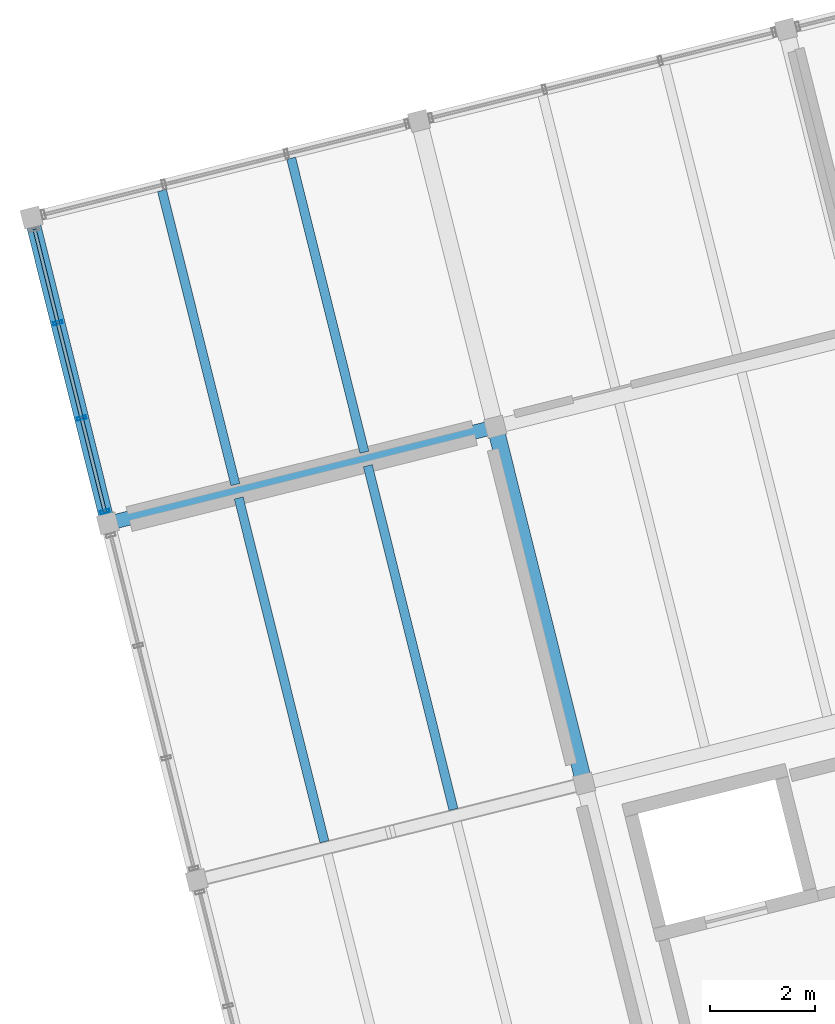
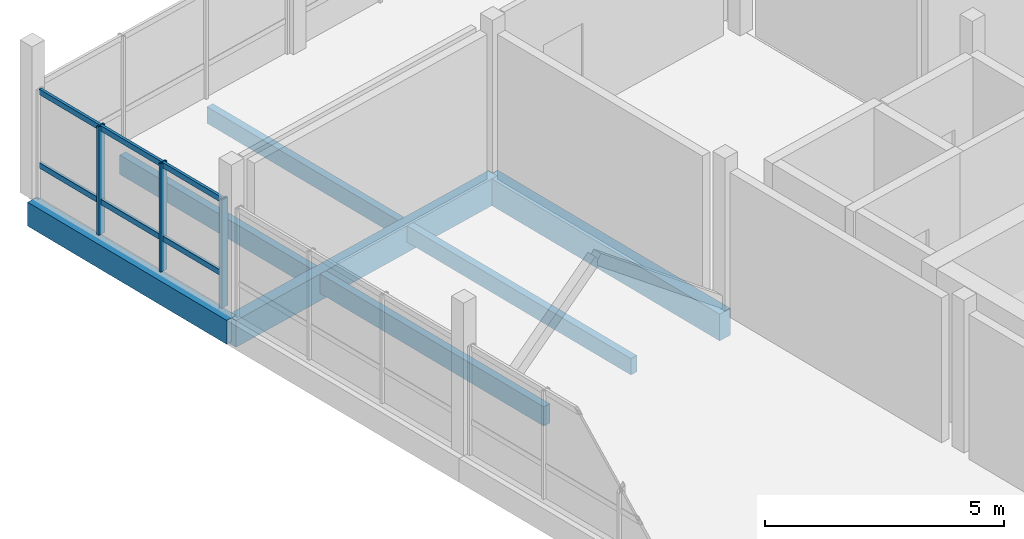
# One storey, part 9 of 26: 9 members, 7 beams, 1 element without a shape of its own.
"""IFC4 building model written with IfcOpenShell, lengths in metres."""

from ifc_helpers import new_model, si_unit, direction, frame, origin, origin_2d, place, context, subcontext, project, spatial, rectangle, hollow_rectangle, extrude, material, layer, layer_set, material_profile, profile_set, type_object, element, aggregate, save


model = new_model("IFC4")

# Units and contexts
model_context = context("Model", 3, precision=1e-05, world=origin(), true_north=direction((0.0, 1.0)))
body_context = subcontext(model_context, "Body", "Model", "MODEL_VIEW")
ifc_project = project(units=[si_unit("LENGTHUNIT", "METRE"), si_unit("AREAUNIT", "SQUARE_METRE"), si_unit("VOLUMEUNIT", "CUBIC_METRE"), si_unit("PLANEANGLEUNIT", "RADIAN"), si_unit("MASSUNIT", "GRAM", prefix="KILO")], contexts=[model_context])

# Site, building, storey
site_placement = place(None, origin())
site = spatial("IfcSite", under=ifc_project, at=site_placement, CompositionType="ELEMENT")
building_placement = place(site_placement, origin())
building = spatial("IfcBuilding", under=site, at=building_placement, Name="Meriwether Solvik Hall", CompositionType="ELEMENT")
storey_placement = place(building_placement, frame((0.0, 0.0, 41.699951171875)))
storey = spatial("IfcBuildingStorey", under=building, at=storey_placement, Name="L10", CompositionType="ELEMENT", Elevation=41.699951171875)

# Beams
ifc_material_1 = material(Name="Glulam Douglas-Fir 24F-V8 GL28h", Category="wood")
ifc_material_profile_1 = material_profile(ifc_material_1, rectangle(XDim=0.27294921875, YDim=0.610107421875, at=origin_2d()), Name="GLB-273X610")
ifc_profile_set_1 = profile_set([ifc_material_profile_1], Name="Glulam Douglas-Fir 24F-V8 GL28h")
beam_type_1 = type_object("IfcBeamType", Name="BM-GL-273X610", PredefinedType="SPANDREL", material=ifc_profile_set_1)
beam_1_placement = place(storey_placement, frame((61.826171875, 68.3681640625, -0.48486328125), z_axis=(-0.241903677572, 0.970300268359, 0.0), x_axis=(-0.970300268359, -0.241903677572, 0.0)))
element("IfcBeam", 1, at=beam_1_placement, inside=storey, type_object=beam_type_1, Name="Tower Girder T1:TE-TF (L10)", PredefinedType="SPANDREL", context=body_context, shape_type="SweptSolid", body=[
    extrude(rectangle(XDim=0.27294921875, YDim=0.610107421875, at=origin_2d()), origin(), (0.0, 0.0, 1.0), 6.0),
])
ifc_material_2 = material(Name="Glulam Douglas-Fir 24F-V8 GL28h", Category="wood")
ifc_material_profile_2 = material_profile(ifc_material_2, rectangle(XDim=0.27294921875, YDim=0.68505859375, at=origin_2d()), Name="GLB-273X685")
ifc_profile_set_2 = profile_set([ifc_material_profile_2], Name="Glulam Douglas-Fir 24F-V8 GL28h")
beam_type_2 = type_object("IfcBeamType", Name="BM-GL-273X685", PredefinedType="BEAM", material=ifc_profile_set_2)
beam_2_placement = place(storey_placement, frame((61.826171875, 68.3681640625, -0.5224609375), z_axis=(0.970295366785, 0.241923337436, 0.0), x_axis=(-0.241923337436, 0.970295366785, 0.0)))
element("IfcBeam", 2, at=beam_2_placement, inside=storey, type_object=beam_type_2, Name="Tower Girder TE:T1-T2 (L10)", PredefinedType="BEAM", context=body_context, shape_type="SweptSolid", body=[
    extrude(rectangle(XDim=0.27294921875, YDim=0.68505859375, at=origin_2d()), origin(), (0.0, 0.0, 1.0), 7.60009765625),
])
ifc_material_3 = material(Name="Glulam Douglas-Fir 24F-V8 GL28h", Category="wood")
ifc_material_profile_3 = material_profile(ifc_material_3, rectangle(XDim=0.31494140625, YDim=0.68505859375, at=origin_2d()), Name="GLB-315X685")
ifc_profile_set_3 = profile_set([ifc_material_profile_3], Name="Glulam Douglas-Fir 24F-V8 GL28h")
beam_type_3 = type_object("IfcBeamType", Name="BM-GL-315X685", PredefinedType="BEAM", material=ifc_profile_set_3)
beam_3_placement = place(storey_placement, frame((70.893798828125, 63.414794921875, -0.5224609375), z_axis=(-0.241911879182, 0.970298223594, 0.0), x_axis=(-0.970298223594, -0.241911879182, 0.0)))
element("IfcBeam", 3, at=beam_3_placement, inside=storey, type_object=beam_type_3, Name="Tower Girder T2:TD-TE (L10)", PredefinedType="BEAM", context=body_context, shape_type="SweptSolid", body=[
    extrude(rectangle(XDim=0.31494140625, YDim=0.68505859375, at=origin_2d()), origin(), (0.0, 0.0, 1.0), 7.0),
])

# Curtain wall, members
ifc_material_4 = material(Name="Thermally Broken Anodised Aluminium 6063-T6 and Low-E Glass", Category="aluminium")
ifc_layer = layer(ifc_material_4, 0.179931640625)
ifc_layer_set = layer_set([ifc_layer], Name="Thermally Broken Anodised Aluminium 6063-T6 and Low-E Glass")
curtain_wall_type = type_object("IfcCurtainWallType", Name="CW-UNIT-E", PredefinedType="USERDEFINED", material=ifc_layer_set)
curtain_wall_placement = place(storey_placement, origin())
curtain_wall = element("IfcCurtainWall", 4, at=curtain_wall_placement, inside=storey, type_object=curtain_wall_type, Name="Curtain Wall E7_B4 (L10)", ObjectType="UNITISED CURTAIN WALL", PredefinedType="USERDEFINED")
ifc_material_5 = material(Name="Anodised Aluminium 6063-T6", Category="aluminium")
ifc_material_profile_4 = material_profile(ifc_material_5, hollow_rectangle(XDim=0.06494140625, YDim=0.179931640625, WallThickness=0.00439453125, at=origin_2d()), Name="CWM-65X180")
ifc_profile_set_4 = profile_set([ifc_material_profile_4], Name="Anodised Aluminium 6063-T6")
member_type_1 = type_object("IfcMemberType", Name="CW-MUL-65X180", PredefinedType="MULLION", material=ifc_profile_set_4)
member_1_placement = place(storey_placement, frame((61.77001953125, 68.59375, 0.0), z_axis=(0.0, 0.0, 1.0), x_axis=(-0.241921949893, 0.970295712739, 0.0)))
member_1 = element("IfcMember", 5, at=member_1_placement, type_object=member_type_1, Name="Curtain Wall Mullion 1", PredefinedType="MULLION", context=body_context, shape_type="SweptSolid", body=[
    extrude(hollow_rectangle(XDim=0.06494140625, YDim=0.179931640625, WallThickness=0.00439453125, at=origin_2d()), origin(), (0.0, 0.0, 1.0), 2.77001953125),
])
member_2_placement = place(storey_placement, frame((61.32666015625, 70.371826171875, 0.0), z_axis=(0.0, 0.0, 1.0), x_axis=(-0.241921949893, 0.970295712739, 0.0)))
member_2 = element("IfcMember", 6, at=member_2_placement, type_object=member_type_1, Name="Curtain Wall Mullion 2", PredefinedType="MULLION", context=body_context, shape_type="SweptSolid", body=[
    extrude(hollow_rectangle(XDim=0.06494140625, YDim=0.179931640625, WallThickness=0.00439453125, at=origin_2d()), origin(), (0.0, 0.0, 1.0), 2.77001953125),
])
member_3_placement = place(storey_placement, frame((60.874267578125, 72.1865234375, 0.0), z_axis=(0.0, 0.0, 1.0), x_axis=(-0.241921949893, 0.970295712739, 0.0)))
member_3 = element("IfcMember", 7, at=member_3_placement, type_object=member_type_1, Name="Curtain Wall Mullion 3", PredefinedType="MULLION", context=body_context, shape_type="SweptSolid", body=[
    extrude(hollow_rectangle(XDim=0.06494140625, YDim=0.179931640625, WallThickness=0.00439453125, at=origin_2d()), origin(), (0.0, 0.0, 1.0), 2.77001953125),
])
ifc_material_6 = material(Name="Anodised Aluminium 6063-T6", Category="aluminium")
ifc_material_profile_5 = material_profile(ifc_material_6, hollow_rectangle(XDim=0.06494140625, YDim=0.139892578125, WallThickness=0.00439453125, at=origin_2d()), Name="CWT-65X140")
ifc_profile_set_5 = profile_set([ifc_material_profile_5], Name="Anodised Aluminium 6063-T6")
member_type_2 = type_object("IfcMemberType", Name="CW-TRN-65X140", PredefinedType="USERDEFINED", material=ifc_profile_set_5)
member_4_placement = place(storey_placement, frame((61.77001953125, 68.59375, 0.8310546875), z_axis=(-0.241939976898, 0.970291217923, 0.0), x_axis=(-0.970291217923, -0.241939976898, 0.0)))
member_4 = element("IfcMember", 8, at=member_4_placement, type_object=member_type_2, Name="Curtain Wall Transom 1-sill", ObjectType="TRANSOM", PredefinedType="USERDEFINED", context=body_context, shape_type="SweptSolid", body=[
    extrude(hollow_rectangle(XDim=0.06494140625, YDim=0.139892578125, WallThickness=0.00439453125, at=origin_2d()), origin(), (0.0, 0.0, 1.0), 1.83251953125),
])
member_5_placement = place(storey_placement, frame((61.77001953125, 68.59375, 2.7099609375), z_axis=(-0.241939976898, 0.970291217923, 0.0), x_axis=(-0.970291217923, -0.241939976898, 0.0)))
member_5 = element("IfcMember", 9, at=member_5_placement, type_object=member_type_2, Name="Curtain Wall Transom 1-head", ObjectType="TRANSOM", PredefinedType="USERDEFINED", context=body_context, shape_type="SweptSolid", body=[
    extrude(hollow_rectangle(XDim=0.06494140625, YDim=0.139892578125, WallThickness=0.00439453125, at=origin_2d()), origin(), (0.0, 0.0, 1.0), 1.83251953125),
])
member_6_placement = place(storey_placement, frame((61.32666015625, 70.371826171875, 0.8310546875), z_axis=(-0.241890550438, 0.970303540965, 0.0), x_axis=(-0.970303540965, -0.241890550438, 0.0)))
member_6 = element("IfcMember", 10, at=member_6_placement, type_object=member_type_2, Name="Curtain Wall Transom 2-sill", ObjectType="TRANSOM", PredefinedType="USERDEFINED", context=body_context, shape_type="SweptSolid", body=[
    extrude(hollow_rectangle(XDim=0.06494140625, YDim=0.139892578125, WallThickness=0.00439453125, at=origin_2d()), origin(), (0.0, 0.0, 1.0), 1.8701171875),
])
member_7_placement = place(storey_placement, frame((61.32666015625, 70.371826171875, 2.7099609375), z_axis=(-0.241890550438, 0.970303540965, 0.0), x_axis=(-0.970303540965, -0.241890550438, 0.0)))
member_7 = element("IfcMember", 11, at=member_7_placement, type_object=member_type_2, Name="Curtain Wall Transom 2-head", ObjectType="TRANSOM", PredefinedType="USERDEFINED", context=body_context, shape_type="SweptSolid", body=[
    extrude(hollow_rectangle(XDim=0.06494140625, YDim=0.139892578125, WallThickness=0.00439453125, at=origin_2d()), origin(), (0.0, 0.0, 1.0), 1.8701171875),
])
member_8_placement = place(storey_placement, frame((60.874267578125, 72.1865234375, 0.8310546875), z_axis=(-0.241971256119, 0.970283417983, 0.0), x_axis=(-0.970283417983, -0.241971256119, 0.0)))
member_8 = element("IfcMember", 12, at=member_8_placement, type_object=member_type_2, Name="Curtain Wall Transom 3-sill", ObjectType="TRANSOM", PredefinedType="USERDEFINED", context=body_context, shape_type="SweptSolid", body=[
    extrude(hollow_rectangle(XDim=0.06494140625, YDim=0.139892578125, WallThickness=0.00439453125, at=origin_2d()), origin(), (0.0, 0.0, 1.0), 1.832275390625),
])
member_9_placement = place(storey_placement, frame((60.874267578125, 72.1865234375, 2.7099609375), z_axis=(-0.241971256119, 0.970283417983, 0.0), x_axis=(-0.970283417983, -0.241971256119, 0.0)))
member_9 = element("IfcMember", 13, at=member_9_placement, type_object=member_type_2, Name="Curtain Wall Transom 3-head", ObjectType="TRANSOM", PredefinedType="USERDEFINED", context=body_context, shape_type="SweptSolid", body=[
    extrude(hollow_rectangle(XDim=0.06494140625, YDim=0.139892578125, WallThickness=0.00439453125, at=origin_2d()), origin(), (0.0, 0.0, 1.0), 1.832275390625),
])
aggregate(curtain_wall, [member_1, member_2, member_3, member_4, member_5, member_6, member_7, member_8, member_9])

# Beams
ifc_material_7 = material(Name="Glulam Douglas-Fir 24F-V8 GL28h", Category="wood")
ifc_material_profile_6 = material_profile(ifc_material_7, rectangle(XDim=0.175048828125, YDim=0.419921875, at=origin_2d()), Name="GLJ-175X420")
ifc_profile_set_6 = profile_set([ifc_material_profile_6], Name="Glulam Douglas-Fir 24F-V8 GL28h")
beam_type_4 = type_object("IfcBeamType", Name="JST-GL-175X420", PredefinedType="JOIST", material=ifc_profile_set_6)
beam_4_placement = place(storey_placement, frame((68.406005859375, 62.92138671875, -0.389892578125), z_axis=(-0.241913907509, 0.970297717896, 0.0), x_axis=(-0.970297717896, -0.241913907509, 0.0)))
element("IfcBeam", 14, at=beam_4_placement, inside=storey, type_object=beam_type_4, Name="Glulam Floor Joist T1/TD-J2 (L10)", PredefinedType="JOIST", context=body_context, shape_type="SweptSolid", body=[
    extrude(rectangle(XDim=0.175048828125, YDim=0.419921875, at=origin_2d()), origin(), (0.0, 0.0, 1.0), 6.74560546875),
])
beam_5_placement = place(storey_placement, frame((66.710693359375, 69.7216796875, -0.389892578125), z_axis=(-0.241958003759, 0.970286722787, 0.0), x_axis=(-0.970286722787, -0.241958003759, 0.0)))
element("IfcBeam", 15, at=beam_5_placement, inside=storey, type_object=beam_type_4, Name="Glulam Floor Joist T1/TE-J2 (L10)", PredefinedType="JOIST", context=body_context, shape_type="SweptSolid", body=[
    extrude(rectangle(XDim=0.175048828125, YDim=0.419921875, at=origin_2d()), origin(), (0.0, 0.0, 1.0), 5.7685546875),
])
ifc_material_8 = material(Name="Glulam Douglas-Fir 24F-V8 GL28h", Category="wood")
ifc_material_profile_7 = material_profile(ifc_material_8, rectangle(XDim=0.175048828125, YDim=0.4951171875, at=origin_2d()), Name="GLJ-175X495")
ifc_profile_set_7 = profile_set([ifc_material_profile_7], Name="Glulam Douglas-Fir 24F-V8 GL28h")
beam_type_5 = type_object("IfcBeamType", Name="JST-GL-175X495", PredefinedType="JOIST", material=ifc_profile_set_7)
beam_6_placement = place(storey_placement, frame((65.947998046875, 62.308349609375, -0.427490234375), z_axis=(-0.241913907509, 0.970297717896, 0.0), x_axis=(-0.970297717896, -0.241913907509, 0.0)))
element("IfcBeam", 16, at=beam_6_placement, inside=storey, type_object=beam_type_5, Name="Glulam Floor Joist T1/TD-J1 (L10)", PredefinedType="JOIST", context=body_context, shape_type="SweptSolid", body=[
    extrude(rectangle(XDim=0.175048828125, YDim=0.4951171875, at=origin_2d()), origin(), (0.0, 0.0, 1.0), 6.74560546875),
])
beam_7_placement = place(storey_placement, frame((64.25244140625, 69.108642578125, -0.427490234375), z_axis=(-0.241918158317, 0.970296658078, 0.0), x_axis=(-0.970296658078, -0.241918158317, 0.0)))
element("IfcBeam", 17, at=beam_7_placement, inside=storey, type_object=beam_type_5, Name="Glulam Floor Joist T1/TE-J1 (L10)", PredefinedType="JOIST", context=body_context, shape_type="SweptSolid", body=[
    extrude(rectangle(XDim=0.175048828125, YDim=0.4951171875, at=origin_2d()), origin(), (0.0, 0.0, 1.0), 5.7685546875),
])

save(model, "model.ifc")
